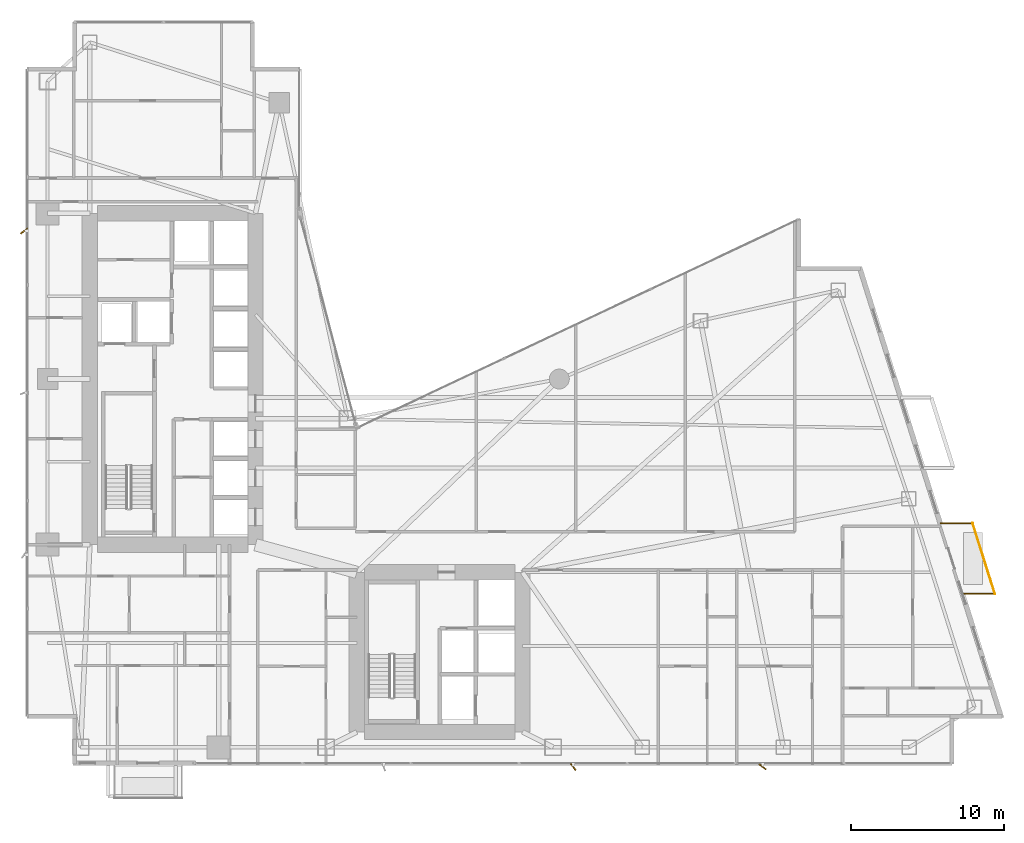
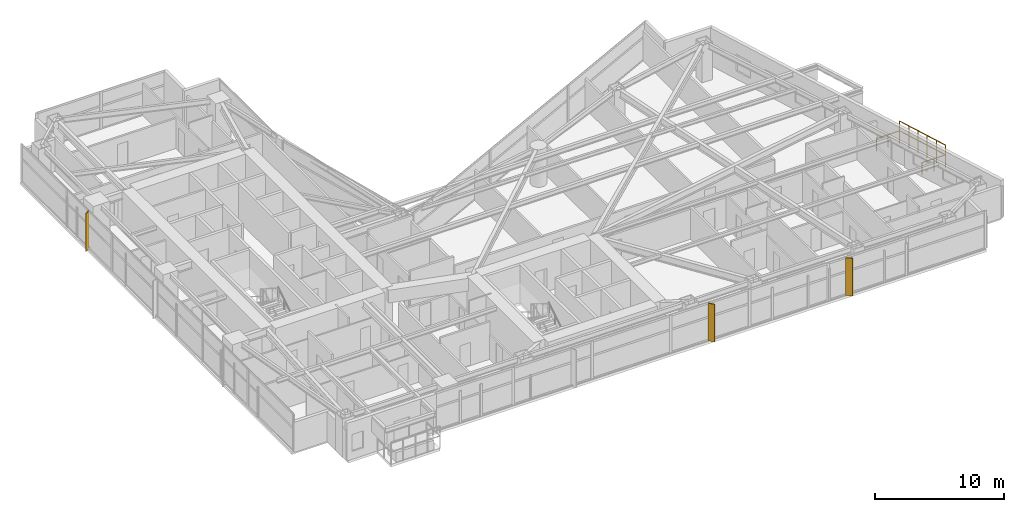
# One storey, part 29 of 29: 3 shading devices, 2 railings.
"""IFC4 building model written with IfcOpenShell, lengths in metres."""

from ifc_helpers import new_model, si_unit, direction, frame, origin, origin_2d, place, context, subcontext, project, spatial, rectangle, circle, extrude, material, type_object, element, save


model = new_model("IFC4")

# Units and contexts
model_context = context("Model", 3, precision=1e-05, world=origin(), true_north=direction((0.0, 1.0)))
body_context = subcontext(model_context, "Body", "Model", "MODEL_VIEW")
ifc_project = project(units=[si_unit("LENGTHUNIT", "METRE"), si_unit("AREAUNIT", "SQUARE_METRE"), si_unit("VOLUMEUNIT", "CUBIC_METRE"), si_unit("PLANEANGLEUNIT", "RADIAN"), si_unit("MASSUNIT", "GRAM", prefix="KILO")], contexts=[model_context])

# Site, building, storey
site_placement = place(None, origin())
site = spatial("IfcSite", under=ifc_project, at=site_placement, CompositionType="ELEMENT")
building_placement = place(site_placement, origin())
building = spatial("IfcBuilding", under=site, at=building_placement, Name="Calvorn Quay Hotel", CompositionType="ELEMENT")
storey_placement = place(building_placement, frame((0.0, 0.0, 85.0)))
storey = spatial("IfcBuildingStorey", under=building, at=storey_placement, Name="L20", CompositionType="ELEMENT", Elevation=85.0)

# Railings
ifc_material_1 = material(Name="Pale Anodised Aluminium and Laminated Glass", Category="aluminium")
railing_type = type_object("IfcRailingType", Name="RLG-BALUSTRADE-1200", PredefinedType="BALUSTRADE", material=ifc_material_1)
railing_1_placement = place(storey_placement, frame((61.089111328125, 13.60009765625, 0.0)))
element("IfcRailing", 1, at=railing_1_placement, inside=storey, type_object=railing_type, Name="Tree Balcony Perimeter Balustrade L20-BALC-E", PredefinedType="BALUSTRADE", context=body_context, shape_type="SweptSolid", body=[
    extrude(circle(Radius=0.02392578125, at=origin_2d()), frame((0.0, 0.0, 1.17578125), z_axis=(1.0, 0.0, 0.0), x_axis=(0.0, 1.0, 0.0)), (0.0, 0.0, 1.0), 2.099853515625),
    extrude(circle(Radius=0.02392578125, at=origin_2d()), frame((2.099853515625, 0.0, 1.17578125), z_axis=(-0.300450487966, 0.953797412599, 0.0), x_axis=(-0.953797412599, -0.300450487966, 0.0)), (0.0, 0.0, 1.0), 4.82275390625),
    extrude(circle(Radius=0.02392578125, at=origin_2d()), frame((0.65087890625, 4.599853515625, 1.17578125), z_axis=(-1.0, 0.0, 0.0), x_axis=(0.0, -1.0, 0.0)), (0.0, 0.0, 1.0), 2.10009765625),
    extrude(circle(Radius=0.02099609375, at=origin_2d()), origin(), (0.0, 0.0, 1.0), 1.15185546875),
    extrude(circle(Radius=0.02099609375, at=origin_2d()), frame((1.0498046875, 0.0, 0.0)), (0.0, 0.0, 1.0), 1.15185546875),
    extrude(circle(Radius=0.02099609375, at=origin_2d()), frame((2.099853515625, 0.0, 0.0)), (0.0, 0.0, 1.0), 1.15185546875),
    extrude(circle(Radius=0.02099609375, at=origin_2d()), frame((1.81005859375, 0.919921875, 0.0)), (0.0, 0.0, 1.0), 1.15185546875),
    extrude(circle(Radius=0.02099609375, at=origin_2d()), frame((1.520263671875, 1.83984375, 0.0)), (0.0, 0.0, 1.0), 1.15185546875),
    extrude(circle(Radius=0.02099609375, at=origin_2d()), frame((1.23046875, 2.760009765625, 0.0)), (0.0, 0.0, 1.0), 1.15185546875),
    extrude(circle(Radius=0.02099609375, at=origin_2d()), frame((0.940673828125, 3.679931640625, 0.0)), (0.0, 0.0, 1.0), 1.15185546875),
    extrude(circle(Radius=0.02099609375, at=origin_2d()), frame((0.65087890625, 4.599853515625, 0.0)), (0.0, 0.0, 1.0), 1.15185546875),
    extrude(circle(Radius=0.02099609375, at=origin_2d()), frame((-0.399169921875, 4.599853515625, 0.0)), (0.0, 0.0, 1.0), 1.15185546875),
    extrude(circle(Radius=0.02099609375, at=origin_2d()), frame((-1.44921875, 4.599853515625, 0.0)), (0.0, 0.0, 1.0), 1.15185546875),
])
railing_2_placement = place(storey_placement, frame((63.18896484375, 13.60009765625, 0.89990234375)))
element("IfcRailing", 2, at=railing_2_placement, inside=storey, type_object=railing_type, Name="Planter Kerb High Safety Screen L20-BALC-E", PredefinedType="BALUSTRADE", context=body_context, shape_type="SweptSolid", body=[
    extrude(circle(Radius=0.02392578125, at=origin_2d()), frame((0.0, 0.0, 1.19580078125), z_axis=(-0.300450487966, 0.953797412599, 0.0), x_axis=(-0.953797412599, -0.300450487966, 0.0)), (0.0, 0.0, 1.0), 4.82275390625),
    extrude(circle(Radius=0.02099609375, at=origin_2d()), origin(), (0.0, 0.0, 1.0), 1.171875),
    extrude(circle(Radius=0.02099609375, at=origin_2d()), frame((-0.289794921875, 0.919921875, 0.0)), (0.0, 0.0, 1.0), 1.171875),
    extrude(circle(Radius=0.02099609375, at=origin_2d()), frame((-0.57958984375, 1.83984375, 0.0)), (0.0, 0.0, 1.0), 1.171875),
    extrude(circle(Radius=0.02099609375, at=origin_2d()), frame((-0.869384765625, 2.760009765625, 0.0)), (0.0, 0.0, 1.0), 1.171875),
    extrude(circle(Radius=0.02099609375, at=origin_2d()), frame((-1.1591796875, 3.679931640625, 0.0)), (0.0, 0.0, 1.0), 1.171875),
    extrude(circle(Radius=0.02099609375, at=origin_2d()), frame((-1.448974609375, 4.599853515625, 0.0)), (0.0, 0.0, 1.0), 1.171875),
])

# Shading devices
ifc_material_2 = material(Name="Champagne Bronze Anodised Aluminium 6063-T6", Category="aluminium")
shading_device_type_1 = type_object("IfcShadingDeviceType", Name="SHD-FIN-A2", PredefinedType="USERDEFINED", material=ifc_material_2)
for number, where, z_axis, x_axis, name in (
    (3, (-0.080078125, 37.25, 0.0), (0.0, 0.0, 1.0), (0.788010753607, 0.615661475326, 0.0), "Diagonal Sun-Shading Fin L20-W03"),
    (4, (35.699951171875, 2.320068359375, 0.0), (0.0, 0.0, 1.0), (-0.615661475326, 0.788010753607, 0.0), "Diagonal Sun-Shading Fin L20-S02"),
):
    element("IfcShadingDevice", number, at=place(storey_placement, frame(where, z_axis=z_axis, x_axis=x_axis)), inside=storey, type_object=shading_device_type_1, Name=name, ObjectType="FIN", PredefinedType="USERDEFINED", context=body_context, shape_type="SweptSolid", body=[
        extrude(rectangle(XDim=0.550048828125, YDim=0.080078125, at=origin_2d()), origin(), (0.0, 0.0, 1.0), 3.56005859375),
    ])
ifc_material_3 = material(Name="Champagne Bronze Anodised Aluminium 6063-T6", Category="aluminium")
shading_device_type_2 = type_object("IfcShadingDeviceType", Name="SHD-FIN-A3", PredefinedType="USERDEFINED", material=ifc_material_3)
shading_device_placement = place(storey_placement, frame((48.050048828125, 2.320068359375, 0.0), z_axis=(0.0, 0.0, 1.0), x_axis=(-0.809016994375, 0.587785252292, 0.0)))
element("IfcShadingDevice", 5, at=shading_device_placement, inside=storey, type_object=shading_device_type_2, Name="Diagonal Sun-Shading Fin L20-S03", ObjectType="FIN", PredefinedType="USERDEFINED", context=body_context, shape_type="SweptSolid", body=[
    extrude(rectangle(XDim=0.550048828125, YDim=0.080078125, at=origin_2d()), origin(), (0.0, 0.0, 1.0), 3.56005859375),
])

save(model, "model.ifc")
